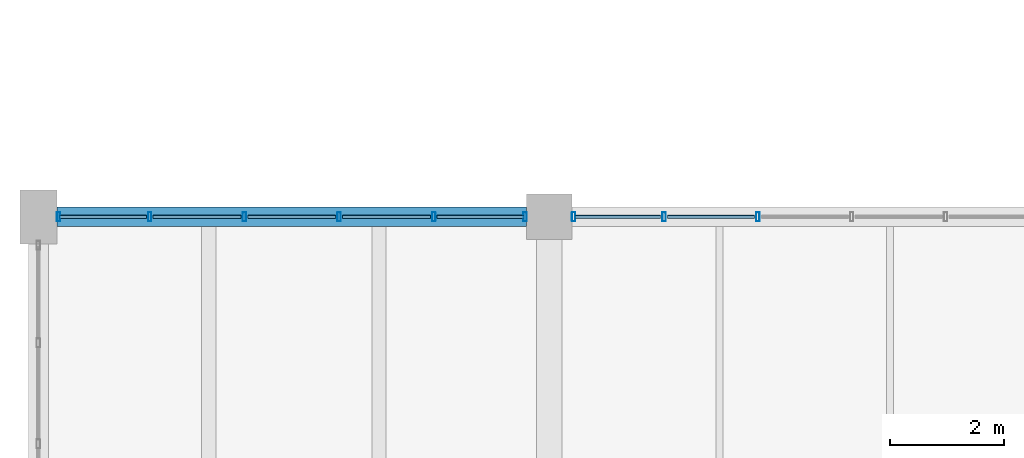
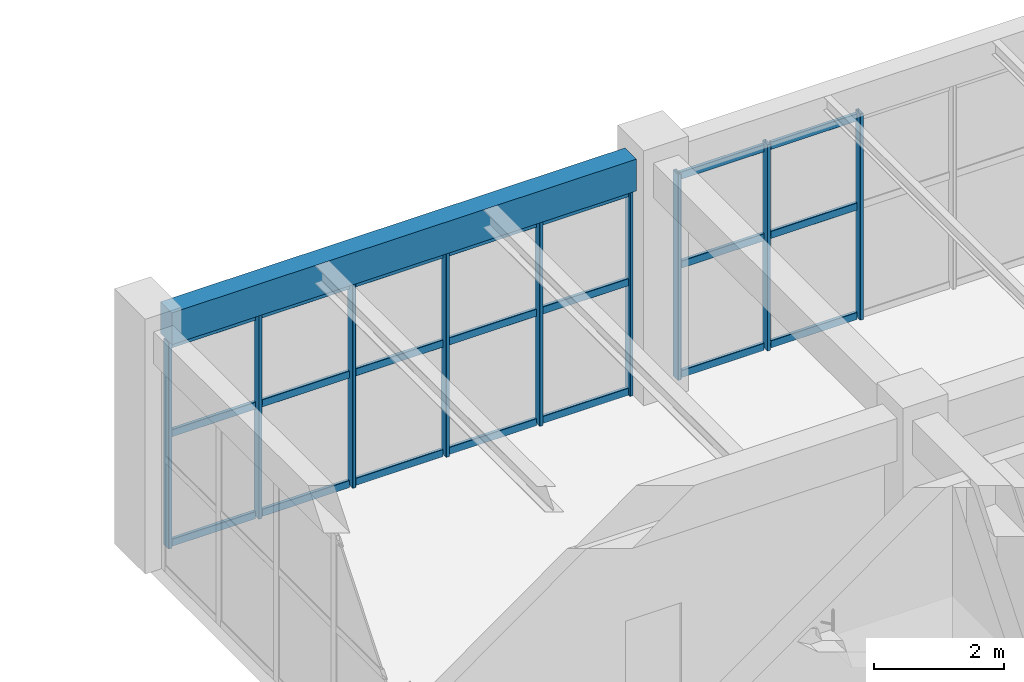
# One storey, part 18 of 178: 30 members, 1 beam, 2 elements without a shape of their own.
"""IFC4 building model written with IfcOpenShell, lengths in metres."""

from ifc_helpers import new_model, si_unit, derived_unit, direction, frame, origin, origin_2d, place, context, subcontext, project, spatial, rectangle, hollow_rectangle, extrude, material, material_profile, profile_set, type_object, element, aggregate, save


model = new_model("IFC4")

# Units and contexts
model_context = context("Model", 3, precision=1e-05, world=origin(), true_north=direction((0.0, 1.0)))
body_context = subcontext(model_context, "Body", "Model", "MODEL_VIEW")
ifc_project = project(units=[si_unit("LENGTHUNIT", "METRE"), si_unit("AREAUNIT", "SQUARE_METRE"), si_unit("VOLUMEUNIT", "CUBIC_METRE"), si_unit("PLANEANGLEUNIT", "RADIAN"), si_unit("MASSUNIT", "GRAM", prefix="KILO"), derived_unit("THERMALTRANSMITTANCEUNIT", [(si_unit("MASSUNIT", "GRAM", prefix="KILO"), 1), (si_unit("TIMEUNIT", "SECOND"), -3), (si_unit("THERMODYNAMICTEMPERATUREUNIT", "KELVIN"), -1)])], contexts=[model_context])

# Site, building, storey
site_placement = place(None, origin())
site = spatial("IfcSite", under=ifc_project, at=site_placement, CompositionType="ELEMENT")
building_placement = place(site_placement, origin())
building = spatial("IfcBuilding", under=site, at=building_placement, Name="Zhenchuan Archway Interchange", CompositionType="ELEMENT")
storey_placement = place(building_placement, frame((0.0, 0.0, 5.39990234375)))
storey = spatial("IfcBuildingStorey", under=building, at=storey_placement, Name="L01", CompositionType="ELEMENT", Elevation=5.39990234375)

# Curtain wall, members
ifc_material_1 = material(Name="Anodised Aluminium", Category="aluminium")
curtain_wall_type_1 = type_object("IfcCurtainWallType", Name="CW_UNIT_2", PredefinedType="NOTDEFINED", material=ifc_material_1)
curtain_wall_1_placement = place(storey_placement, origin())
curtain_wall_1 = element("IfcCurtainWall", 1, at=curtain_wall_1_placement, inside=storey, type_object=curtain_wall_type_1, Name="Unitised curtain wall CW:L01:089", PredefinedType="NOTDEFINED")
ifc_material_profile_1 = material_profile(ifc_material_1, hollow_rectangle(XDim=0.06005859375, YDim=0.159912109375, WallThickness=0.00390625, InnerFilletRadius=0.00390625, OuterFilletRadius=0.008056640625, at=origin_2d()), Name="ALU 160x60x4")
ifc_profile_set_1 = profile_set([ifc_material_profile_1], Name="Anodised Aluminium")
member_type_1 = type_object("IfcMemberType", Name="CW_MUL_150", PredefinedType="MULLION", material=ifc_profile_set_1)
member_1_placement = place(storey_placement, frame((0.35302734375, 16.0, 0.0), z_axis=(0.0, 0.0, 1.0), x_axis=(1.0, 0.0, 0.0)))
member_1 = element("IfcMember", 2, at=member_1_placement, type_object=member_type_1, Name="CW:L01:089 mullion 0", PredefinedType="MULLION", context=body_context, shape_type="SweptSolid", body=[
    extrude(hollow_rectangle(XDim=0.06005859375, YDim=0.159912109375, WallThickness=0.00390625, InnerFilletRadius=0.00390625, OuterFilletRadius=0.008056640625, at=origin_2d()), origin(), (0.0, 0.0, 1.0), 3.880126953125),
])
member_2_placement = place(storey_placement, frame((1.960693359375, 16.0, 0.0), z_axis=(0.0, 0.0, 1.0), x_axis=(1.0, 0.0, 0.0)))
member_2 = element("IfcMember", 3, at=member_2_placement, type_object=member_type_1, Name="CW:L01:089 mullion 1", PredefinedType="MULLION", context=body_context, shape_type="SweptSolid", body=[
    extrude(hollow_rectangle(XDim=0.06005859375, YDim=0.159912109375, WallThickness=0.00390625, InnerFilletRadius=0.00390625, OuterFilletRadius=0.008056640625, at=origin_2d()), origin(), (0.0, 0.0, 1.0), 3.880126953125),
])
member_3_placement = place(storey_placement, frame((3.628662109375, 16.0, 0.0), z_axis=(0.0, 0.0, 1.0), x_axis=(1.0, 0.0, 0.0)))
member_3 = element("IfcMember", 4, at=member_3_placement, type_object=member_type_1, Name="CW:L01:089 mullion 2", PredefinedType="MULLION", context=body_context, shape_type="SweptSolid", body=[
    extrude(hollow_rectangle(XDim=0.06005859375, YDim=0.159912109375, WallThickness=0.00390625, InnerFilletRadius=0.00390625, OuterFilletRadius=0.008056640625, at=origin_2d()), origin(), (0.0, 0.0, 1.0), 3.880126953125),
])
member_4_placement = place(storey_placement, frame((5.29638671875, 16.0, 0.0), z_axis=(0.0, 0.0, 1.0), x_axis=(1.0, 0.0, 0.0)))
member_4 = element("IfcMember", 5, at=member_4_placement, type_object=member_type_1, Name="CW:L01:089 mullion 3", PredefinedType="MULLION", context=body_context, shape_type="SweptSolid", body=[
    extrude(hollow_rectangle(XDim=0.06005859375, YDim=0.159912109375, WallThickness=0.00390625, InnerFilletRadius=0.00390625, OuterFilletRadius=0.008056640625, at=origin_2d()), origin(), (0.0, 0.0, 1.0), 3.880126953125),
])
member_5_placement = place(storey_placement, frame((6.964111328125, 16.0, 0.0), z_axis=(0.0, 0.0, 1.0), x_axis=(1.0, 0.0, 0.0)))
member_5 = element("IfcMember", 6, at=member_5_placement, type_object=member_type_1, Name="CW:L01:089 mullion 4", PredefinedType="MULLION", context=body_context, shape_type="SweptSolid", body=[
    extrude(hollow_rectangle(XDim=0.06005859375, YDim=0.159912109375, WallThickness=0.00390625, InnerFilletRadius=0.00390625, OuterFilletRadius=0.008056640625, at=origin_2d()), origin(), (0.0, 0.0, 1.0), 3.880126953125),
])
member_6_placement = place(storey_placement, frame((8.572021484375, 16.0, 0.0), z_axis=(0.0, 0.0, 1.0), x_axis=(1.0, 0.0, 0.0)))
member_6 = element("IfcMember", 7, at=member_6_placement, type_object=member_type_1, Name="CW:L01:089 mullion 5", PredefinedType="MULLION", context=body_context, shape_type="SweptSolid", body=[
    extrude(hollow_rectangle(XDim=0.06005859375, YDim=0.159912109375, WallThickness=0.00390625, InnerFilletRadius=0.00390625, OuterFilletRadius=0.008056640625, at=origin_2d()), origin(), (0.0, 0.0, 1.0), 3.880126953125),
])

curtain_wall_type_2 = type_object("IfcCurtainWallType", Name="CW_UNIT_3", PredefinedType="NOTDEFINED", material=ifc_material_1)
curtain_wall_2_placement = place(storey_placement, origin())
curtain_wall_2 = element("IfcCurtainWall", 8, at=curtain_wall_2_placement, inside=storey, type_object=curtain_wall_type_2, Name="Unitised curtain wall CW:L01:090", PredefinedType="NOTDEFINED")
member_7_placement = place(storey_placement, frame((9.427978515625, 16.0, 0.0), z_axis=(0.0, 0.0, 1.0), x_axis=(1.0, 0.0, 0.0)))
member_7 = element("IfcMember", 9, at=member_7_placement, type_object=member_type_1, Name="CW:L01:090 mullion 0", PredefinedType="MULLION", context=body_context, shape_type="SweptSolid", body=[
    extrude(hollow_rectangle(XDim=0.06005859375, YDim=0.159912109375, WallThickness=0.00390625, InnerFilletRadius=0.00390625, OuterFilletRadius=0.008056640625, at=origin_2d()), origin(), (0.0, 0.0, 1.0), 3.880126953125),
])
member_8_placement = place(storey_placement, frame((11.020751953125, 16.0, 0.0), z_axis=(0.0, 0.0, 1.0), x_axis=(1.0, 0.0, 0.0)))
member_8 = element("IfcMember", 10, at=member_8_placement, type_object=member_type_1, Name="CW:L01:090 mullion 1", PredefinedType="MULLION", context=body_context, shape_type="SweptSolid", body=[
    extrude(hollow_rectangle(XDim=0.06005859375, YDim=0.159912109375, WallThickness=0.00390625, InnerFilletRadius=0.00390625, OuterFilletRadius=0.008056640625, at=origin_2d()), origin(), (0.0, 0.0, 1.0), 3.880126953125),
])
member_9_placement = place(storey_placement, frame((12.673583984375, 16.0, 0.0), z_axis=(0.0, 0.0, 1.0), x_axis=(1.0, 0.0, 0.0)))
member_9 = element("IfcMember", 11, at=member_9_placement, type_object=member_type_1, Name="CW:L01:090 mullion 2", PredefinedType="MULLION", context=body_context, shape_type="SweptSolid", body=[
    extrude(hollow_rectangle(XDim=0.06005859375, YDim=0.159912109375, WallThickness=0.00390625, InnerFilletRadius=0.00390625, OuterFilletRadius=0.008056640625, at=origin_2d()), origin(), (0.0, 0.0, 1.0), 3.880126953125),
])

# Member
ifc_material_profile_2 = material_profile(ifc_material_1, hollow_rectangle(XDim=0.06005859375, YDim=0.139892578125, WallThickness=0.00341796875, InnerFilletRadius=0.00341796875, OuterFilletRadius=0.007080078125, at=origin_2d()), Name="ALU 140x60x3.5")
ifc_profile_set_2 = profile_set([ifc_material_profile_2], Name="Anodised Aluminium")
member_type_2 = type_object("IfcMemberType", Name="CW_TRN_140", PredefinedType="USERDEFINED", material=ifc_profile_set_2)
member_10_placement = place(storey_placement, frame((0.373046875, 16.0, 0.06005859375), z_axis=(1.0, 0.0, 0.0), x_axis=(0.0, 1.0, 0.0)))
member_10 = element("IfcMember", 12, at=member_10_placement, type_object=member_type_2, Name="CW:L01:089 transom 0-1", ObjectType="TRANSOM", PredefinedType="USERDEFINED", context=body_context, shape_type="SweptSolid", body=[
    extrude(hollow_rectangle(XDim=0.06005859375, YDim=0.139892578125, WallThickness=0.00341796875, InnerFilletRadius=0.00341796875, OuterFilletRadius=0.007080078125, at=origin_2d()), origin(), (0.0, 0.0, 1.0), 1.52783203125),
])

member_11_placement = place(storey_placement, frame((0.373046875, 16.0, 2.123046875), z_axis=(1.0, 0.0, 0.0), x_axis=(0.0, 1.0, 0.0)))
member_11 = element("IfcMember", 13, at=member_11_placement, type_object=member_type_2, Name="CW:L01:089 transom 0-2", ObjectType="TRANSOM", PredefinedType="USERDEFINED", context=body_context, shape_type="SweptSolid", body=[
    extrude(hollow_rectangle(XDim=0.06005859375, YDim=0.139892578125, WallThickness=0.00341796875, InnerFilletRadius=0.00341796875, OuterFilletRadius=0.007080078125, at=origin_2d()), origin(), (0.0, 0.0, 1.0), 1.52783203125),
])

member_12_placement = place(storey_placement, frame((0.373046875, 16.0, 3.800048828125), z_axis=(1.0, 0.0, 0.0), x_axis=(0.0, 1.0, 0.0)))
member_12 = element("IfcMember", 14, at=member_12_placement, type_object=member_type_2, Name="CW:L01:089 transom 0-3", ObjectType="TRANSOM", PredefinedType="USERDEFINED", context=body_context, shape_type="SweptSolid", body=[
    extrude(hollow_rectangle(XDim=0.06005859375, YDim=0.139892578125, WallThickness=0.00341796875, InnerFilletRadius=0.00341796875, OuterFilletRadius=0.007080078125, at=origin_2d()), origin(), (0.0, 0.0, 1.0), 1.52783203125),
])

member_13_placement = place(storey_placement, frame((2.020751953125, 16.0, 0.06005859375), z_axis=(1.0, 0.0, 0.0), x_axis=(0.0, 1.0, 0.0)))
member_13 = element("IfcMember", 15, at=member_13_placement, type_object=member_type_2, Name="CW:L01:089 transom 1-1", ObjectType="TRANSOM", PredefinedType="USERDEFINED", context=body_context, shape_type="SweptSolid", body=[
    extrude(hollow_rectangle(XDim=0.06005859375, YDim=0.139892578125, WallThickness=0.00341796875, InnerFilletRadius=0.00341796875, OuterFilletRadius=0.007080078125, at=origin_2d()), origin(), (0.0, 0.0, 1.0), 1.5478515625),
])

member_14_placement = place(storey_placement, frame((2.020751953125, 16.0, 2.123046875), z_axis=(1.0, 0.0, 0.0), x_axis=(0.0, 1.0, 0.0)))
member_14 = element("IfcMember", 16, at=member_14_placement, type_object=member_type_2, Name="CW:L01:089 transom 1-2", ObjectType="TRANSOM", PredefinedType="USERDEFINED", context=body_context, shape_type="SweptSolid", body=[
    extrude(hollow_rectangle(XDim=0.06005859375, YDim=0.139892578125, WallThickness=0.00341796875, InnerFilletRadius=0.00341796875, OuterFilletRadius=0.007080078125, at=origin_2d()), origin(), (0.0, 0.0, 1.0), 1.5478515625),
])

member_15_placement = place(storey_placement, frame((2.020751953125, 16.0, 3.800048828125), z_axis=(1.0, 0.0, 0.0), x_axis=(0.0, 1.0, 0.0)))
member_15 = element("IfcMember", 17, at=member_15_placement, type_object=member_type_2, Name="CW:L01:089 transom 1-3", ObjectType="TRANSOM", PredefinedType="USERDEFINED", context=body_context, shape_type="SweptSolid", body=[
    extrude(hollow_rectangle(XDim=0.06005859375, YDim=0.139892578125, WallThickness=0.00341796875, InnerFilletRadius=0.00341796875, OuterFilletRadius=0.007080078125, at=origin_2d()), origin(), (0.0, 0.0, 1.0), 1.5478515625),
])

member_16_placement = place(storey_placement, frame((3.688720703125, 16.0, 0.06005859375), z_axis=(1.0, 0.0, 0.0), x_axis=(0.0, 1.0, 0.0)))
member_16 = element("IfcMember", 18, at=member_16_placement, type_object=member_type_2, Name="CW:L01:089 transom 2-1", ObjectType="TRANSOM", PredefinedType="USERDEFINED", context=body_context, shape_type="SweptSolid", body=[
    extrude(hollow_rectangle(XDim=0.06005859375, YDim=0.139892578125, WallThickness=0.00341796875, InnerFilletRadius=0.00341796875, OuterFilletRadius=0.007080078125, at=origin_2d()), origin(), (0.0, 0.0, 1.0), 1.547607421875),
])

member_17_placement = place(storey_placement, frame((3.688720703125, 16.0, 2.123046875), z_axis=(1.0, 0.0, 0.0), x_axis=(0.0, 1.0, 0.0)))
member_17 = element("IfcMember", 19, at=member_17_placement, type_object=member_type_2, Name="CW:L01:089 transom 2-2", ObjectType="TRANSOM", PredefinedType="USERDEFINED", context=body_context, shape_type="SweptSolid", body=[
    extrude(hollow_rectangle(XDim=0.06005859375, YDim=0.139892578125, WallThickness=0.00341796875, InnerFilletRadius=0.00341796875, OuterFilletRadius=0.007080078125, at=origin_2d()), origin(), (0.0, 0.0, 1.0), 1.547607421875),
])

member_18_placement = place(storey_placement, frame((3.688720703125, 16.0, 3.800048828125), z_axis=(1.0, 0.0, 0.0), x_axis=(0.0, 1.0, 0.0)))
member_18 = element("IfcMember", 20, at=member_18_placement, type_object=member_type_2, Name="CW:L01:089 transom 2-3", ObjectType="TRANSOM", PredefinedType="USERDEFINED", context=body_context, shape_type="SweptSolid", body=[
    extrude(hollow_rectangle(XDim=0.06005859375, YDim=0.139892578125, WallThickness=0.00341796875, InnerFilletRadius=0.00341796875, OuterFilletRadius=0.007080078125, at=origin_2d()), origin(), (0.0, 0.0, 1.0), 1.547607421875),
])

member_19_placement = place(storey_placement, frame((5.3564453125, 16.0, 0.06005859375), z_axis=(1.0, 0.0, 0.0), x_axis=(0.0, 1.0, 0.0)))
member_19 = element("IfcMember", 21, at=member_19_placement, type_object=member_type_2, Name="CW:L01:089 transom 3-1", ObjectType="TRANSOM", PredefinedType="USERDEFINED", context=body_context, shape_type="SweptSolid", body=[
    extrude(hollow_rectangle(XDim=0.06005859375, YDim=0.139892578125, WallThickness=0.00341796875, InnerFilletRadius=0.00341796875, OuterFilletRadius=0.007080078125, at=origin_2d()), origin(), (0.0, 0.0, 1.0), 1.5478515625),
])

member_20_placement = place(storey_placement, frame((5.3564453125, 16.0, 2.123046875), z_axis=(1.0, 0.0, 0.0), x_axis=(0.0, 1.0, 0.0)))
member_20 = element("IfcMember", 22, at=member_20_placement, type_object=member_type_2, Name="CW:L01:089 transom 3-2", ObjectType="TRANSOM", PredefinedType="USERDEFINED", context=body_context, shape_type="SweptSolid", body=[
    extrude(hollow_rectangle(XDim=0.06005859375, YDim=0.139892578125, WallThickness=0.00341796875, InnerFilletRadius=0.00341796875, OuterFilletRadius=0.007080078125, at=origin_2d()), origin(), (0.0, 0.0, 1.0), 1.5478515625),
])

member_21_placement = place(storey_placement, frame((5.3564453125, 16.0, 3.800048828125), z_axis=(1.0, 0.0, 0.0), x_axis=(0.0, 1.0, 0.0)))
member_21 = element("IfcMember", 23, at=member_21_placement, type_object=member_type_2, Name="CW:L01:089 transom 3-3", ObjectType="TRANSOM", PredefinedType="USERDEFINED", context=body_context, shape_type="SweptSolid", body=[
    extrude(hollow_rectangle(XDim=0.06005859375, YDim=0.139892578125, WallThickness=0.00341796875, InnerFilletRadius=0.00341796875, OuterFilletRadius=0.007080078125, at=origin_2d()), origin(), (0.0, 0.0, 1.0), 1.5478515625),
])

member_22_placement = place(storey_placement, frame((7.024169921875, 16.0, 0.06005859375), z_axis=(1.0, 0.0, 0.0), x_axis=(0.0, 1.0, 0.0)))
member_22 = element("IfcMember", 24, at=member_22_placement, type_object=member_type_2, Name="CW:L01:089 transom 4-1", ObjectType="TRANSOM", PredefinedType="USERDEFINED", context=body_context, shape_type="SweptSolid", body=[
    extrude(hollow_rectangle(XDim=0.06005859375, YDim=0.139892578125, WallThickness=0.00341796875, InnerFilletRadius=0.00341796875, OuterFilletRadius=0.007080078125, at=origin_2d()), origin(), (0.0, 0.0, 1.0), 1.52783203125),
])

member_23_placement = place(storey_placement, frame((7.024169921875, 16.0, 2.123046875), z_axis=(1.0, 0.0, 0.0), x_axis=(0.0, 1.0, 0.0)))
member_23 = element("IfcMember", 25, at=member_23_placement, type_object=member_type_2, Name="CW:L01:089 transom 4-2", ObjectType="TRANSOM", PredefinedType="USERDEFINED", context=body_context, shape_type="SweptSolid", body=[
    extrude(hollow_rectangle(XDim=0.06005859375, YDim=0.139892578125, WallThickness=0.00341796875, InnerFilletRadius=0.00341796875, OuterFilletRadius=0.007080078125, at=origin_2d()), origin(), (0.0, 0.0, 1.0), 1.52783203125),
])

member_24_placement = place(storey_placement, frame((7.024169921875, 16.0, 3.800048828125), z_axis=(1.0, 0.0, 0.0), x_axis=(0.0, 1.0, 0.0)))
member_24 = element("IfcMember", 26, at=member_24_placement, type_object=member_type_2, Name="CW:L01:089 transom 4-3", ObjectType="TRANSOM", PredefinedType="USERDEFINED", context=body_context, shape_type="SweptSolid", body=[
    extrude(hollow_rectangle(XDim=0.06005859375, YDim=0.139892578125, WallThickness=0.00341796875, InnerFilletRadius=0.00341796875, OuterFilletRadius=0.007080078125, at=origin_2d()), origin(), (0.0, 0.0, 1.0), 1.52783203125),
])

aggregate(curtain_wall_1, [member_1, member_2, member_3, member_4, member_5, member_6, member_10, member_11, member_12, member_13, member_14, member_15, member_16, member_17, member_18, member_19, member_20, member_21, member_22, member_23, member_24])

member_25_placement = place(storey_placement, frame((9.447998046875, 16.0, 0.06005859375), z_axis=(1.0, 0.0, 0.0), x_axis=(0.0, 1.0, 0.0)))
member_25 = element("IfcMember", 27, at=member_25_placement, type_object=member_type_2, Name="CW:L01:090 transom 0-1", ObjectType="TRANSOM", PredefinedType="USERDEFINED", context=body_context, shape_type="SweptSolid", body=[
    extrude(hollow_rectangle(XDim=0.06005859375, YDim=0.139892578125, WallThickness=0.00341796875, InnerFilletRadius=0.00341796875, OuterFilletRadius=0.007080078125, at=origin_2d()), origin(), (0.0, 0.0, 1.0), 1.5126953125),
])

member_26_placement = place(storey_placement, frame((9.447998046875, 16.0, 2.123046875), z_axis=(1.0, 0.0, 0.0), x_axis=(0.0, 1.0, 0.0)))
member_26 = element("IfcMember", 28, at=member_26_placement, type_object=member_type_2, Name="CW:L01:090 transom 0-2", ObjectType="TRANSOM", PredefinedType="USERDEFINED", context=body_context, shape_type="SweptSolid", body=[
    extrude(hollow_rectangle(XDim=0.06005859375, YDim=0.139892578125, WallThickness=0.00341796875, InnerFilletRadius=0.00341796875, OuterFilletRadius=0.007080078125, at=origin_2d()), origin(), (0.0, 0.0, 1.0), 1.5126953125),
])

member_27_placement = place(storey_placement, frame((9.447998046875, 16.0, 3.800048828125), z_axis=(1.0, 0.0, 0.0), x_axis=(0.0, 1.0, 0.0)))
member_27 = element("IfcMember", 29, at=member_27_placement, type_object=member_type_2, Name="CW:L01:090 transom 0-3", ObjectType="TRANSOM", PredefinedType="USERDEFINED", context=body_context, shape_type="SweptSolid", body=[
    extrude(hollow_rectangle(XDim=0.06005859375, YDim=0.139892578125, WallThickness=0.00341796875, InnerFilletRadius=0.00341796875, OuterFilletRadius=0.007080078125, at=origin_2d()), origin(), (0.0, 0.0, 1.0), 1.5126953125),
])

member_28_placement = place(storey_placement, frame((11.080810546875, 16.0, 0.06005859375), z_axis=(1.0, 0.0, 0.0), x_axis=(0.0, 1.0, 0.0)))
member_28 = element("IfcMember", 30, at=member_28_placement, type_object=member_type_2, Name="CW:L01:090 transom 1-1", ObjectType="TRANSOM", PredefinedType="USERDEFINED", context=body_context, shape_type="SweptSolid", body=[
    extrude(hollow_rectangle(XDim=0.06005859375, YDim=0.139892578125, WallThickness=0.00341796875, InnerFilletRadius=0.00341796875, OuterFilletRadius=0.007080078125, at=origin_2d()), origin(), (0.0, 0.0, 1.0), 1.53271484375),
])

member_29_placement = place(storey_placement, frame((11.080810546875, 16.0, 2.123046875), z_axis=(1.0, 0.0, 0.0), x_axis=(0.0, 1.0, 0.0)))
member_29 = element("IfcMember", 31, at=member_29_placement, type_object=member_type_2, Name="CW:L01:090 transom 1-2", ObjectType="TRANSOM", PredefinedType="USERDEFINED", context=body_context, shape_type="SweptSolid", body=[
    extrude(hollow_rectangle(XDim=0.06005859375, YDim=0.139892578125, WallThickness=0.00341796875, InnerFilletRadius=0.00341796875, OuterFilletRadius=0.007080078125, at=origin_2d()), origin(), (0.0, 0.0, 1.0), 1.53271484375),
])

member_30_placement = place(storey_placement, frame((11.080810546875, 16.0, 3.800048828125), z_axis=(1.0, 0.0, 0.0), x_axis=(0.0, 1.0, 0.0)))
member_30 = element("IfcMember", 32, at=member_30_placement, type_object=member_type_2, Name="CW:L01:090 transom 1-3", ObjectType="TRANSOM", PredefinedType="USERDEFINED", context=body_context, shape_type="SweptSolid", body=[
    extrude(hollow_rectangle(XDim=0.06005859375, YDim=0.139892578125, WallThickness=0.00341796875, InnerFilletRadius=0.00341796875, OuterFilletRadius=0.007080078125, at=origin_2d()), origin(), (0.0, 0.0, 1.0), 1.53271484375),
])

aggregate(curtain_wall_2, [member_7, member_8, member_9, member_25, member_26, member_27, member_28, member_29, member_30])

# Beam
ifc_material_2 = material(Name="Concrete C40", Category="concrete")
ifc_material_profile_3 = material_profile(ifc_material_2, rectangle(XDim=0.35009765625, YDim=0.60009765625, at=origin_2d()), Name="RC 350x600")
ifc_profile_set_3 = profile_set([ifc_material_profile_3], Name="Concrete C40")
beam_type = type_object("IfcBeamType", Name="SP_RC_350x600", PredefinedType="SPANDREL", material=ifc_profile_set_3)
beam_placement = place(storey_placement, frame((0.324951171875, 16.0, 4.210205078125), z_axis=(1.0, 0.0, 0.0), x_axis=(0.0, 1.0, 0.0)))
element("IfcBeam", 33, at=beam_placement, inside=storey, type_object=beam_type, Name="Beam C:1-2 (L01)", PredefinedType="SPANDREL", context=body_context, shape_type="SweptSolid", body=[
    extrude(rectangle(XDim=0.35009765625, YDim=0.60009765625, at=origin_2d()), origin(), (0.0, 0.0, 1.0), 8.275146484375),
])

save(model, "model.ifc")
